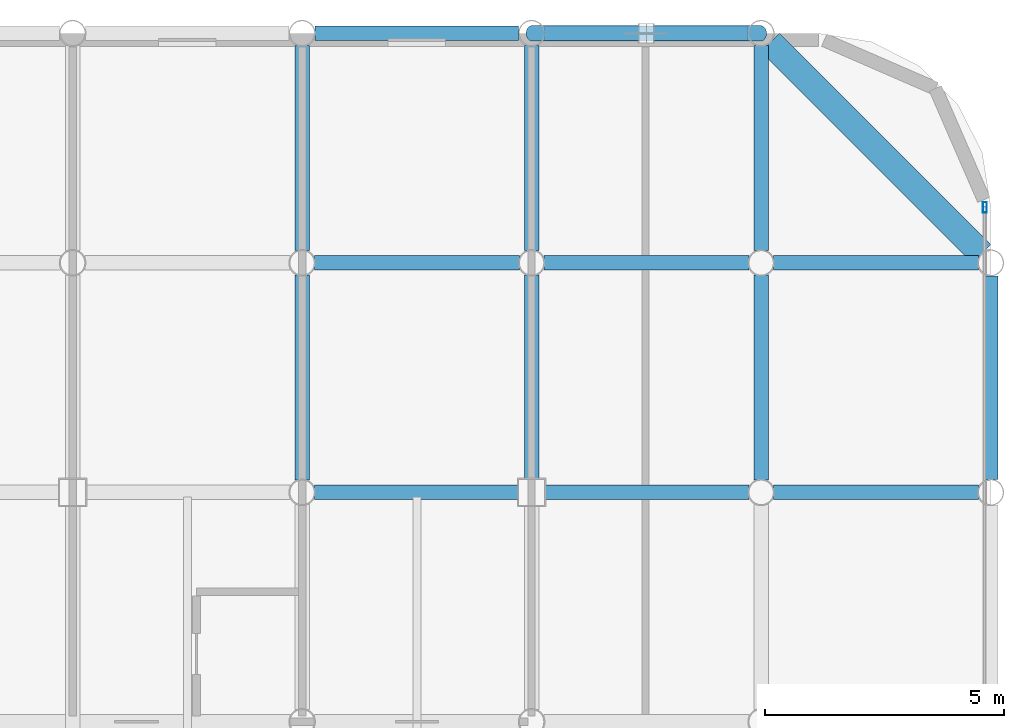
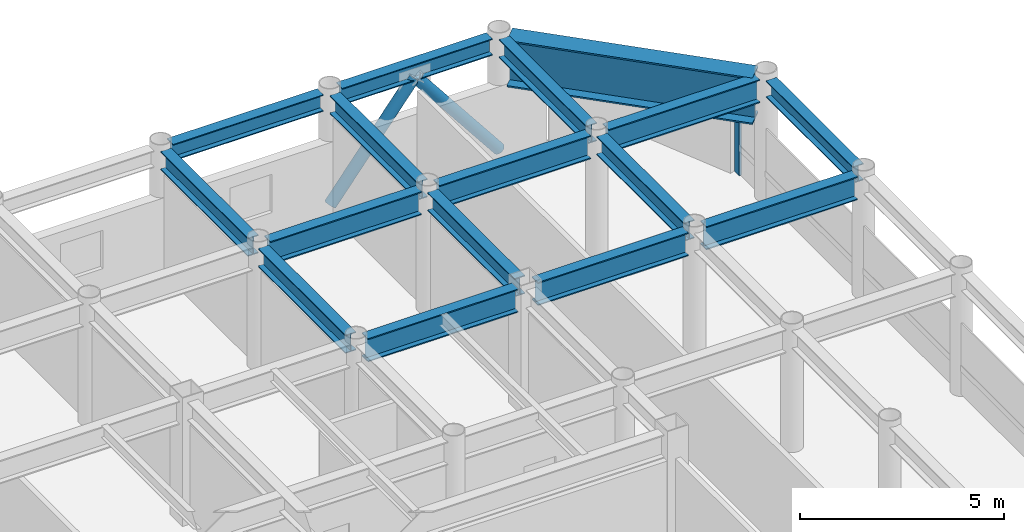
# One storey, part 16 of 24: 16 beams, 3 members, 1 element without a shape of its own.
"""IFC4 building model written with IfcOpenShell, lengths in metres."""

from ifc_helpers import new_model, si_unit, direction, frame, origin, origin_2d, place, context, subcontext, project, spatial, hollow_rectangle, hollow_circle, i_section, extrude, material, layer, layer_set, material_profile, profile_set, type_object, element, aggregate, save


model = new_model("IFC4")

# Units and contexts
model_context = context("Model", 3, precision=1e-05, world=origin(), true_north=direction((0.0, 1.0)))
body_context = subcontext(model_context, "Body", "Model", "MODEL_VIEW")
ifc_project = project(units=[si_unit("LENGTHUNIT", "METRE"), si_unit("AREAUNIT", "SQUARE_METRE"), si_unit("VOLUMEUNIT", "CUBIC_METRE"), si_unit("PLANEANGLEUNIT", "RADIAN"), si_unit("MASSUNIT", "GRAM", prefix="KILO")], contexts=[model_context])

# Site, building, storey
site_placement = place(None, origin())
site = spatial("IfcSite", under=ifc_project, at=site_placement, CompositionType="ELEMENT")
building_placement = place(site_placement, origin())
building = spatial("IfcBuilding", under=site, at=building_placement, Name="Kallvorn Hotel Tower", CompositionType="ELEMENT")
storey_placement = place(building_placement, frame((0.0, 0.0, 233.85009765625)))
storey = spatial("IfcBuildingStorey", under=building, at=storey_placement, Name="L58", CompositionType="ELEMENT", Elevation=233.85009765625)

# Beams
ifc_material_1 = material(Name="Structural steel S355JR", Category="steel")
ifc_material_profile_1 = material_profile(ifc_material_1, i_section(OverallWidth=0.300048828125, OverallDepth=0.5, WebThickness=0.014404296875, FlangeThickness=0.028076171875, at=origin_2d()), Name="HE 500 B")
ifc_profile_set_1 = profile_set([ifc_material_profile_1], Name="Structural steel S355JR")
beam_type_1 = type_object("IfcBeamType", Name="BM_HE500B", PredefinedType="SPANDREL", material=ifc_profile_set_1)
for number, where, z_axis, x_axis, name in (
    (1, (19.469482421875, 24.0, 3.419921875), (1.0, 0.0, 0.0), (0.0, 1.0, 0.0), "L59 Perimeter Spandrel 172"),
    (2, (24.26953125, 24.0, 3.419921875), (1.0, 0.0, 0.0), (0.0, 1.0, 0.0), "L59 Perimeter Spandrel 173"),
    (3, (33.60009765625, 14.66943359375, 3.419921875), (0.0, 1.0, 0.0), (-1.0, 0.0, 0.0), "L59 Perimeter Spandrel 188"),
):
    element("IfcBeam", number, at=place(storey_placement, frame(where, z_axis=z_axis, x_axis=x_axis)), inside=storey, type_object=beam_type_1, Name=name, PredefinedType="SPANDREL", context=body_context, shape_type="SweptSolid", body=[
        extrude(i_section(OverallWidth=0.300048828125, OverallDepth=0.5, WebThickness=0.014404296875, FlangeThickness=0.028076171875, at=origin_2d()), origin(), (0.0, 0.0, 1.0), 4.260986328125),
    ])
ifc_material_2 = material(Name="Structural steel S355JR", Category="steel")
ifc_material_profile_2 = material_profile(ifc_material_2, i_section(OverallWidth=0.300048828125, OverallDepth=0.550048828125, WebThickness=0.014892578125, FlangeThickness=0.029052734375, at=origin_2d()), Name="HE 550 B")
ifc_profile_set_2 = profile_set([ifc_material_profile_2], Name="Structural steel S355JR")
beam_type_2 = type_object("IfcBeamType", Name="BM_HE550B", PredefinedType="SPANDREL", material=ifc_profile_set_2)
for number, where, z_axis, x_axis, name in (
    (4, (19.199951171875, 14.654541015625, 3.39501953125), (0.0, 1.0, 0.0), (-1.0, 0.0, 0.0), "L59 Primary Y-Girder 133"),
    (5, (19.199951171875, 19.45458984375, 3.39501953125), (0.0, 1.0, 0.0), (-1.0, 0.0, 0.0), "L59 Primary Y-Girder 134"),
):
    element("IfcBeam", number, at=place(storey_placement, frame(where, z_axis=z_axis, x_axis=x_axis)), inside=storey, type_object=beam_type_2, Name=name, PredefinedType="SPANDREL", context=body_context, shape_type="SweptSolid", body=[
        extrude(i_section(OverallWidth=0.300048828125, OverallDepth=0.550048828125, WebThickness=0.014892578125, FlangeThickness=0.029052734375, at=origin_2d()), origin(), (0.0, 0.0, 1.0), 4.291015625),
    ])
beam_1_placement = place(storey_placement, frame((24.0, 14.675048828125, 3.39501953125), z_axis=(0.0, 1.0, 0.0), x_axis=(-1.0, 0.0, 0.0)))
element("IfcBeam", 6, at=beam_1_placement, inside=storey, type_object=beam_type_2, Name="L59 Primary Y-Girder 140", PredefinedType="SPANDREL", context=body_context, shape_type="SweptSolid", body=[
    extrude(i_section(OverallWidth=0.300048828125, OverallDepth=0.550048828125, WebThickness=0.014892578125, FlangeThickness=0.029052734375, at=origin_2d()), origin(), (0.0, 0.0, 1.0), 4.2705078125),
])
for number, where, z_axis, x_axis, name in (
    (7, (24.0, 19.45458984375, 3.39501953125), (0.0, 1.0, 0.0), (-1.0, 0.0, 0.0), "L59 Primary Y-Girder 141"),
    (8, (28.800048828125, 14.654541015625, 3.39501953125), (0.0, 1.0, 0.0), (-1.0, 0.0, 0.0), "L59 Primary Y-Girder 149"),
    (9, (28.800048828125, 19.45458984375, 3.39501953125), (0.0, 1.0, 0.0), (-1.0, 0.0, 0.0), "L59 Primary Y-Girder 150"),
):
    element("IfcBeam", number, at=place(storey_placement, frame(where, z_axis=z_axis, x_axis=x_axis)), inside=storey, type_object=beam_type_2, Name=name, PredefinedType="SPANDREL", context=body_context, shape_type="SweptSolid", body=[
        extrude(i_section(OverallWidth=0.300048828125, OverallDepth=0.550048828125, WebThickness=0.014892578125, FlangeThickness=0.029052734375, at=origin_2d()), origin(), (0.0, 0.0, 1.0), 4.291015625),
    ])
ifc_material_3 = material(Name="Structural steel S355JR", Category="steel")
ifc_material_profile_3 = material_profile(ifc_material_3, i_section(OverallWidth=0.300048828125, OverallDepth=0.699951171875, WebThickness=0.01708984375, FlangeThickness=0.031982421875, at=origin_2d()), Name="HE 700 B")
ifc_profile_set_3 = profile_set([ifc_material_profile_3], Name="Structural steel S355JR")
beam_type_3 = type_object("IfcBeamType", Name="BM_HE700B", PredefinedType="BEAM", material=ifc_profile_set_3)
for number, where, z_axis, x_axis, name in (
    (10, (19.45458984375, 14.39990234375, 3.31982421875), (1.0, 0.0, 0.0), (0.0, 1.0, 0.0), "L59 Primary X-Girder 57"),
    (11, (24.27490234375, 14.39990234375, 3.31982421875), (1.0, 0.0, 0.0), (0.0, 1.0, 0.0), "L59 Primary X-Girder 58"),
):
    element("IfcBeam", number, at=place(storey_placement, frame(where, z_axis=z_axis, x_axis=x_axis)), inside=storey, type_object=beam_type_3, Name=name, PredefinedType="BEAM", context=body_context, shape_type="SweptSolid", body=[
        extrude(i_section(OverallWidth=0.300048828125, OverallDepth=0.699951171875, WebThickness=0.01708984375, FlangeThickness=0.031982421875, at=origin_2d()), origin(), (0.0, 0.0, 1.0), 4.2705078125),
    ])
for number, where, z_axis, x_axis, name in (
    (12, (29.054443359375, 14.39990234375, 3.31982421875), (1.0, 0.0, 0.0), (0.0, 1.0, 0.0), "L59 Primary X-Girder 59"),
    (13, (19.45458984375, 19.199951171875, 3.31982421875), (1.0, 0.0, 0.0), (0.0, 1.0, 0.0), "L59 Primary X-Girder 70"),
    (14, (24.25439453125, 19.199951171875, 3.31982421875), (1.0, 0.0, 0.0), (0.0, 1.0, 0.0), "L59 Primary X-Girder 71"),
    (15, (29.054443359375, 19.199951171875, 3.31982421875), (1.0, 0.0, 0.0), (0.0, 1.0, 0.0), "L59 Primary X-Girder 72"),
):
    element("IfcBeam", number, at=place(storey_placement, frame(where, z_axis=z_axis, x_axis=x_axis)), inside=storey, type_object=beam_type_3, Name=name, PredefinedType="BEAM", context=body_context, shape_type="SweptSolid", body=[
        extrude(i_section(OverallWidth=0.300048828125, OverallDepth=0.699951171875, WebThickness=0.01708984375, FlangeThickness=0.031982421875, at=origin_2d()), origin(), (0.0, 0.0, 1.0), 4.291015625),
    ])
ifc_material_4 = material(Name="Structural steel S355JR", Category="steel")
ifc_material_profile_4 = material_profile(ifc_material_4, i_section(OverallWidth=0.550048828125, OverallDepth=1.39990234375, WebThickness=0.02490234375, FlangeThickness=0.044921875, at=origin_2d()), Name="PG 1400x550x25x45")
ifc_profile_set_4 = profile_set([ifc_material_profile_4], Name="Structural steel S355JR")
beam_type_4 = type_object("IfcBeamType", Name="BM_PG_1400", PredefinedType="BEAM", material=ifc_profile_set_4)
beam_2_placement = place(storey_placement, frame((33.409423828125, 19.390625, 2.969970703125), z_axis=(-0.707126314793, 0.707087247041, 0.0), x_axis=(-0.707087247041, -0.707126314793, 0.0)))
element("IfcBeam", 16, at=beam_2_placement, inside=storey, type_object=beam_type_4, Name="L59 Rounded Corner Tie Beam 191", PredefinedType="BEAM", context=body_context, shape_type="SweptSolid", body=[
    extrude(i_section(OverallWidth=0.550048828125, OverallDepth=1.39990234375, WebThickness=0.02490234375, FlangeThickness=0.044921875, at=origin_2d()), origin(), (0.0, 0.0, 1.0), 6.249267578125),
])

# Curtain wall, member
ifc_material_5 = material(Name="Thermally broken black-anodised aluminium AA 6063-T6", Category="aluminium")
ifc_layer = layer(ifc_material_5, 0.22998046875)
ifc_layer_set = layer_set([ifc_layer], Name="CW_SYS_5_HOTEL_HIGH")
curtain_wall_type = type_object("IfcCurtainWallType", Name="CW_SYS_5_HOTEL_HIGH", PredefinedType="USERDEFINED", material=ifc_layer_set)
curtain_wall_placement = place(storey_placement, origin())
curtain_wall = element("IfcCurtainWall", 17, at=curtain_wall_placement, inside=storey, type_object=curtain_wall_type, Name="L58 Dark-Glass Curtain Wall CW-L58-EN", ObjectType="UNITISED CURTAIN WALL", PredefinedType="USERDEFINED")
ifc_material_6 = material(Name="Thermally broken black-anodised aluminium AA 6063-T6", Category="aluminium")
ifc_material_profile_5 = material_profile(ifc_material_6, hollow_rectangle(XDim=0.080078125, YDim=0.219970703125, WallThickness=0.0048828125, at=origin_2d()), Name="MUL 220x80")
ifc_profile_set_5 = profile_set([ifc_material_profile_5], Name="Thermally broken black-anodised aluminium AA 6063-T6")
member_type_1 = type_object("IfcMemberType", Name="CW_MULLION_220x80", PredefinedType="MULLION", material=ifc_profile_set_5)
member_placement = place(storey_placement, frame((33.47998046875, 20.360107421875, 0.02001953125), z_axis=(0.0, 0.0, 1.0), x_axis=(1.0, 0.0, 0.0)))
member = element("IfcMember", 18, at=member_placement, type_object=member_type_1, Name="CW-L58-EN Mullion 01", PredefinedType="MULLION", context=body_context, shape_type="SweptSolid", body=[
    extrude(hollow_rectangle(XDim=0.080078125, YDim=0.219970703125, WallThickness=0.0048828125, at=origin_2d()), origin(), (0.0, 0.0, 1.0), 2.22998046875),
])
aggregate(curtain_wall, [member])

# Members
ifc_material_7 = material(Name="Structural steel S355J2H", Category="steel")
ifc_material_profile_6 = material_profile(ifc_material_7, hollow_circle(Radius=0.161865234375, WallThickness=0.012451171875, at=origin_2d()), Name="CHS 323.9x12.5")
ifc_profile_set_6 = profile_set([ifc_material_profile_6], Name="Structural steel S355J2H")
member_type_2 = type_object("IfcMemberType", Name="MBR_EXO_CHS323", PredefinedType="BRACE", material=ifc_profile_set_6)
for number, where, z_axis, x_axis, name in (
    (19, (24.012451171875, 24.0, 0.195556640625), (0.620928510901, 0.0, 0.783867198159), (0.0, 1.0, 0.0), "L58 Exoskeleton K-Brace N2A"),
    (20, (28.78759765625, 24.0, 0.195556640625), (-0.620928510901, 0.0, 0.783867198159), (0.0, -1.0, 0.0), "L58 Exoskeleton K-Brace N2B"),
):
    element("IfcMember", number, at=place(storey_placement, frame(where, z_axis=z_axis, x_axis=x_axis)), inside=storey, type_object=member_type_2, Name=name, PredefinedType="BRACE", context=body_context, shape_type="SweptSolid", body=[
        extrude(hollow_circle(Radius=0.161865234375, WallThickness=0.012451171875, at=origin_2d()), origin(), (0.0, 0.0, 1.0), 3.8251953125),
    ])

save(model, "model.ifc")
